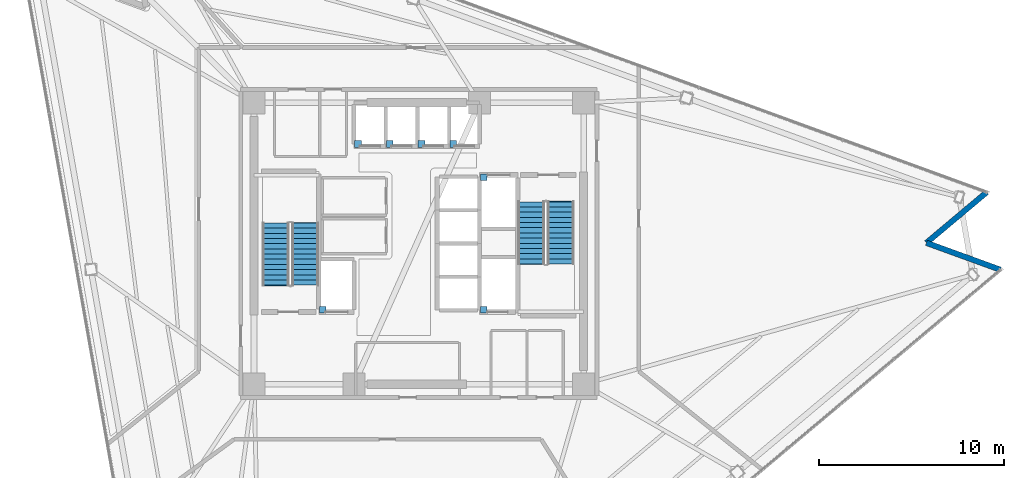
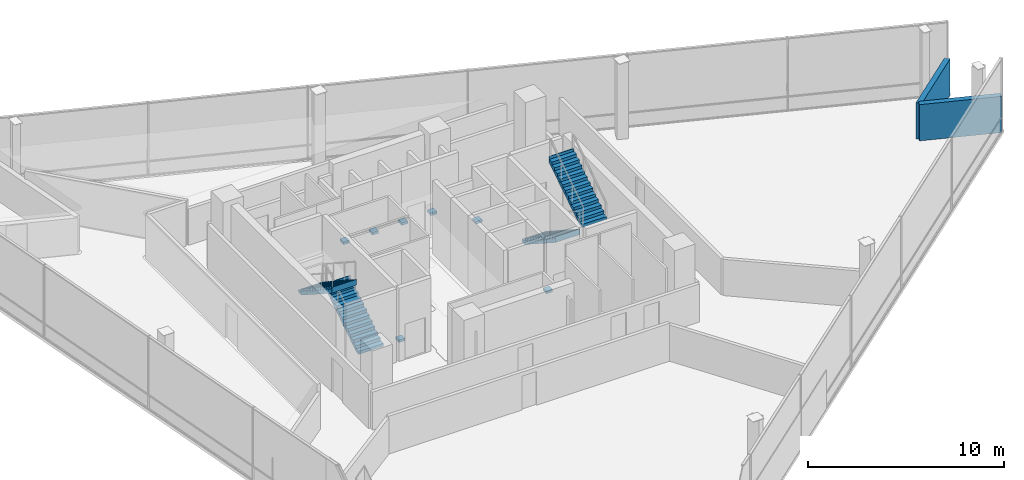
# One storey, part 12 of 15: 7 discrete accessories, 4 stair flights, 2 walls, 2 elements without a shape of their own.
"""IFC4 building model written with IfcOpenShell, lengths in metres."""

from ifc_helpers import new_model, si_unit, direction, frame, frame_2d, origin, origin_2d, place, context, subcontext, project, spatial, polyline, rectangle, outline, extrude, material, layer, layer_set, type_object, element, aggregate, save


model = new_model("IFC4")

# Units and contexts
model_context = context("Model", 3, precision=1e-05, world=origin(), true_north=direction((0.0, 1.0)))
body_context = subcontext(model_context, "Body", "Model", "MODEL_VIEW")
ifc_project = project(units=[si_unit("LENGTHUNIT", "METRE"), si_unit("AREAUNIT", "SQUARE_METRE"), si_unit("VOLUMEUNIT", "CUBIC_METRE"), si_unit("PLANEANGLEUNIT", "RADIAN"), si_unit("MASSUNIT", "GRAM", prefix="KILO")], contexts=[model_context])

# Site, building, storey
site_placement = place(None, origin())
site = spatial("IfcSite", under=ifc_project, at=site_placement, CompositionType="ELEMENT")
building_placement = place(site_placement, origin())
building = spatial("IfcBuilding", under=site, at=building_placement, Name="Tharavind Bronze Gate", CompositionType="ELEMENT")
storey_placement = place(building_placement, frame((0.0, 0.0, 192.10009765625)))
storey = spatial("IfcBuildingStorey", under=building, at=storey_placement, Name="L49", CompositionType="ELEMENT", Elevation=192.10009765625)

# Walls
ifc_material_1 = material(Name="Concrete C40/50", Category="concrete")
ifc_layer = layer(ifc_material_1, 0.300048828125)
ifc_layer_set = layer_set([ifc_layer], Name="Concrete C40/50")
wall_type = type_object("IfcWallType", Name="EXTERIOR SPANDREL WALL 300", PredefinedType="STANDARD", material=ifc_layer_set)
for number, where, z_axis, x_axis, name in (
    (1, (31.410888671875, -1.418212890625, 0.0), (0.0, 0.0, 1.0), (-0.939672547019, 0.342075290511, 0.0), "L49 notch cheek wall 3A"),
    (2, (27.419189453125, 0.034912109375, 0.0), (0.0, 0.0, 1.0), (0.766054602204, 0.642775502367, 0.0), "L49 notch cheek wall 3B"),
):
    element("IfcWall", number, at=place(storey_placement, frame(where, z_axis=z_axis, x_axis=x_axis)), inside=storey, type_object=wall_type, Name=name, PredefinedType="STANDARD", context=body_context, shape_type="SweptSolid", body=[
        extrude(rectangle(XDim=4.248046875, YDim=0.300048828125, at=frame_2d((2.1240234375, 0.0))), origin(), (0.0, 0.0, 1.0), 2.2548828125),
    ])

# Stair, stair flights
stair_type = type_object("IfcStairType", Name="CORE HALF TURN STAIR 1450", PredefinedType="HALF_TURN_STAIR", material=ifc_material_1)
stair_1_placement = place(storey_placement, origin())
stair_1 = element("IfcStair", 3, at=stair_1_placement, inside=storey, type_object=stair_type, Name="L49 Protected Exit Stair ST1", PredefinedType="HALF_TURN_STAIR")
stair_flight_type = type_object("IfcStairFlightType", Name="CORE STAIR FLIGHT 1450", PredefinedType="STRAIGHT", material=ifc_material_1)
stair_flight_1_placement = place(storey_placement, frame((-6.125, -2.25, 0.0), z_axis=(0.0, 0.0, 1.0), x_axis=(0.0, 1.0, 0.0)))
stair_flight_1 = element("IfcStairFlight", 4, at=stair_flight_1_placement, type_object=stair_flight_type, Name="ST1 flight 1", NumberOfRisers=13, NumberOfTreads=12, PredefinedType="STRAIGHT", RiserHeight=0.182692308, TreadLength=0.28, context=body_context, shape_type="SweptSolid", body=[
    extrude(outline(polyline([(0.0, 0.0), (0.0, 0.1826171875), (0.280029296875, 0.1826171875), (0.280029296875, 0.365478515625), (0.56005859375, 0.365478515625), (0.56005859375, 0.548095703125), (0.840087890625, 0.548095703125), (0.840087890625, 0.730712890625), (1.1201171875, 0.730712890625), (1.1201171875, 0.91357421875), (1.39990234375, 0.91357421875), (1.39990234375, 1.09619140625), (1.679931640625, 1.09619140625), (1.679931640625, 1.27880859375), (1.9599609375, 1.27880859375), (1.9599609375, 1.46142578125), (2.239990234375, 1.46142578125), (2.239990234375, 1.644287109375), (2.52001953125, 1.644287109375), (2.52001953125, 1.826904296875), (2.800048828125, 1.826904296875), (2.800048828125, 2.009521484375), (3.080078125, 2.009521484375), (3.080078125, 2.1923828125), (3.360107421875, 2.1923828125), (3.360107421875, 2.375), (3.39599609375, 2.375), (3.39599609375, 2.013427734375), (0.2744140625, 0.0), (0.0, 0.0)])), frame((0.0, 0.72509765625, 0.0), z_axis=(0.0, -1.0, 0.0), x_axis=(1.0, 0.0, 0.0)), (0.0, 0.0, 1.0), 1.449951171875),
])
stair_flight_2_placement = place(storey_placement, frame((-7.72509765625, 1.110107421875, 2.375), z_axis=(0.0, 0.0, 1.0), x_axis=(0.0, -1.0, 0.0)))
stair_flight_2 = element("IfcStairFlight", 5, at=stair_flight_2_placement, type_object=stair_flight_type, Name="ST1 flight 2", NumberOfRisers=13, NumberOfTreads=12, PredefinedType="STRAIGHT", RiserHeight=0.182692308, TreadLength=0.28, context=body_context, shape_type="SweptSolid", body=[
    extrude(outline(polyline([(0.0, 0.0), (0.0, 0.1826171875), (0.280029296875, 0.1826171875), (0.280029296875, 0.365478515625), (0.56005859375, 0.365478515625), (0.56005859375, 0.548095703125), (0.840087890625, 0.548095703125), (0.840087890625, 0.730712890625), (1.1201171875, 0.730712890625), (1.1201171875, 0.91357421875), (1.39990234375, 0.91357421875), (1.39990234375, 1.09619140625), (1.679931640625, 1.09619140625), (1.679931640625, 1.27880859375), (1.9599609375, 1.27880859375), (1.9599609375, 1.46142578125), (2.239990234375, 1.46142578125), (2.239990234375, 1.644287109375), (2.52001953125, 1.644287109375), (2.52001953125, 1.826904296875), (2.800048828125, 1.826904296875), (2.800048828125, 2.009521484375), (3.080078125, 2.009521484375), (3.080078125, 2.1923828125), (3.360107421875, 2.1923828125), (3.360107421875, 2.375), (3.39599609375, 2.375), (3.39599609375, 2.013427734375), (0.2744140625, 0.0), (0.0, 0.0)])), frame((0.0, 0.72509765625, 0.0), z_axis=(0.0, -1.0, 0.0), x_axis=(1.0, 0.0, 0.0)), (0.0, 0.0, 1.0), 1.449951171875),
])
aggregate(stair_1, [stair_flight_1, stair_flight_2])

stair_2_placement = place(storey_placement, origin())
stair_2 = element("IfcStair", 6, at=stair_2_placement, inside=storey, type_object=stair_type, Name="L49 Protected Exit Stair ST2", PredefinedType="HALF_TURN_STAIR")
stair_flight_3_placement = place(storey_placement, frame((6.074951171875, 2.25, 0.0), z_axis=(0.0, 0.0, 1.0), x_axis=(0.0, -1.0, 0.0)))
stair_flight_3 = element("IfcStairFlight", 7, at=stair_flight_3_placement, type_object=stair_flight_type, Name="ST2 flight 1", NumberOfRisers=13, NumberOfTreads=12, PredefinedType="STRAIGHT", RiserHeight=0.182692308, TreadLength=0.28, context=body_context, shape_type="SweptSolid", body=[
    extrude(outline(polyline([(0.0, 0.0), (0.0, 0.1826171875), (0.280029296875, 0.1826171875), (0.280029296875, 0.365478515625), (0.56005859375, 0.365478515625), (0.56005859375, 0.548095703125), (0.840087890625, 0.548095703125), (0.840087890625, 0.730712890625), (1.1201171875, 0.730712890625), (1.1201171875, 0.91357421875), (1.39990234375, 0.91357421875), (1.39990234375, 1.09619140625), (1.679931640625, 1.09619140625), (1.679931640625, 1.27880859375), (1.9599609375, 1.27880859375), (1.9599609375, 1.46142578125), (2.239990234375, 1.46142578125), (2.239990234375, 1.644287109375), (2.52001953125, 1.644287109375), (2.52001953125, 1.826904296875), (2.800048828125, 1.826904296875), (2.800048828125, 2.009521484375), (3.080078125, 2.009521484375), (3.080078125, 2.1923828125), (3.360107421875, 2.1923828125), (3.360107421875, 2.375), (3.39599609375, 2.375), (3.39599609375, 2.013427734375), (0.2744140625, 0.0), (0.0, 0.0)])), frame((0.0, 0.72509765625, 0.0), z_axis=(0.0, -1.0, 0.0), x_axis=(1.0, 0.0, 0.0)), (0.0, 0.0, 1.0), 1.449951171875),
])
stair_flight_4_placement = place(storey_placement, frame((7.675048828125, -1.110107421875, 2.375), z_axis=(0.0, 0.0, 1.0), x_axis=(0.0, 1.0, 0.0)))
stair_flight_4 = element("IfcStairFlight", 8, at=stair_flight_4_placement, type_object=stair_flight_type, Name="ST2 flight 2", NumberOfRisers=13, NumberOfTreads=12, PredefinedType="STRAIGHT", RiserHeight=0.182692308, TreadLength=0.28, context=body_context, shape_type="SweptSolid", body=[
    extrude(outline(polyline([(0.0, 0.0), (0.0, 0.1826171875), (0.280029296875, 0.1826171875), (0.280029296875, 0.365478515625), (0.56005859375, 0.365478515625), (0.56005859375, 0.548095703125), (0.840087890625, 0.548095703125), (0.840087890625, 0.730712890625), (1.1201171875, 0.730712890625), (1.1201171875, 0.91357421875), (1.39990234375, 0.91357421875), (1.39990234375, 1.09619140625), (1.679931640625, 1.09619140625), (1.679931640625, 1.27880859375), (1.9599609375, 1.27880859375), (1.9599609375, 1.46142578125), (2.239990234375, 1.46142578125), (2.239990234375, 1.644287109375), (2.52001953125, 1.644287109375), (2.52001953125, 1.826904296875), (2.800048828125, 1.826904296875), (2.800048828125, 2.009521484375), (3.080078125, 2.009521484375), (3.080078125, 2.1923828125), (3.360107421875, 2.1923828125), (3.360107421875, 2.375), (3.39599609375, 2.375), (3.39599609375, 2.013427734375), (0.2744140625, 0.0), (0.0, 0.0)])), frame((0.0, 0.72509765625, 0.0), z_axis=(0.0, -1.0, 0.0), x_axis=(1.0, 0.0, 0.0)), (0.0, 0.0, 1.0), 1.449951171875),
])
aggregate(stair_2, [stair_flight_3, stair_flight_4])

# Discrete accessories
ifc_material_2 = material(Name="Galvanised Steel S355", Category="steel")
discrete_accessory_type = type_object("IfcDiscreteAccessoryType", Name="LIFT GUIDE RAIL BRACKET", PredefinedType="BRACKET", material=ifc_material_2)
for number, where, z_axis, x_axis, name in (
    (9, (-3.280029296875, 5.3701171875, 1.1201171875), (0.0, 0.0, 1.0), (1.0, 0.0, 0.0), "Lift PL5 guide rail bracket at L49"),
    (10, (-1.5673828125, 5.3701171875, 1.1201171875), (0.0, 0.0, 1.0), (1.0, 0.0, 0.0), "Lift PL6 guide rail bracket at L49"),
    (11, (0.14501953125, 5.3701171875, 1.1201171875), (0.0, 0.0, 1.0), (1.0, 0.0, 0.0), "Lift PL7 guide rail bracket at L49"),
    (12, (1.857421875, 5.3701171875, 1.1201171875), (0.0, 0.0, 1.0), (1.0, 0.0, 0.0), "Lift PL8 guide rail bracket at L49"),
    (13, (-5.179931640625, -3.580078125, 1.1201171875), (0.0, 0.0, 1.0), (1.0, 0.0, 0.0), "Lift FFL1 guide rail bracket at L49"),
    (14, (3.5, 3.580078125, 1.1201171875), (0.0, 0.0, 1.0), (1.0, 0.0, 0.0), "Lift FFL2 guide rail bracket at L49"),
    (15, (3.5, -3.580078125, 1.1201171875), (0.0, 0.0, 1.0), (1.0, 0.0, 0.0), "Lift SVL1 guide rail bracket at L49"),
):
    element("IfcDiscreteAccessory", number, at=place(storey_placement, frame(where, z_axis=z_axis, x_axis=x_axis)), inside=storey, type_object=discrete_accessory_type, Name=name, PredefinedType="BRACKET", context=body_context, shape_type="SweptSolid", body=[
        extrude(rectangle(XDim=0.360107421875, YDim=0.360107421875, at=origin_2d()), origin(), (0.0, 0.0, 1.0), 0.159912109375),
    ])

save(model, "model.ifc")
